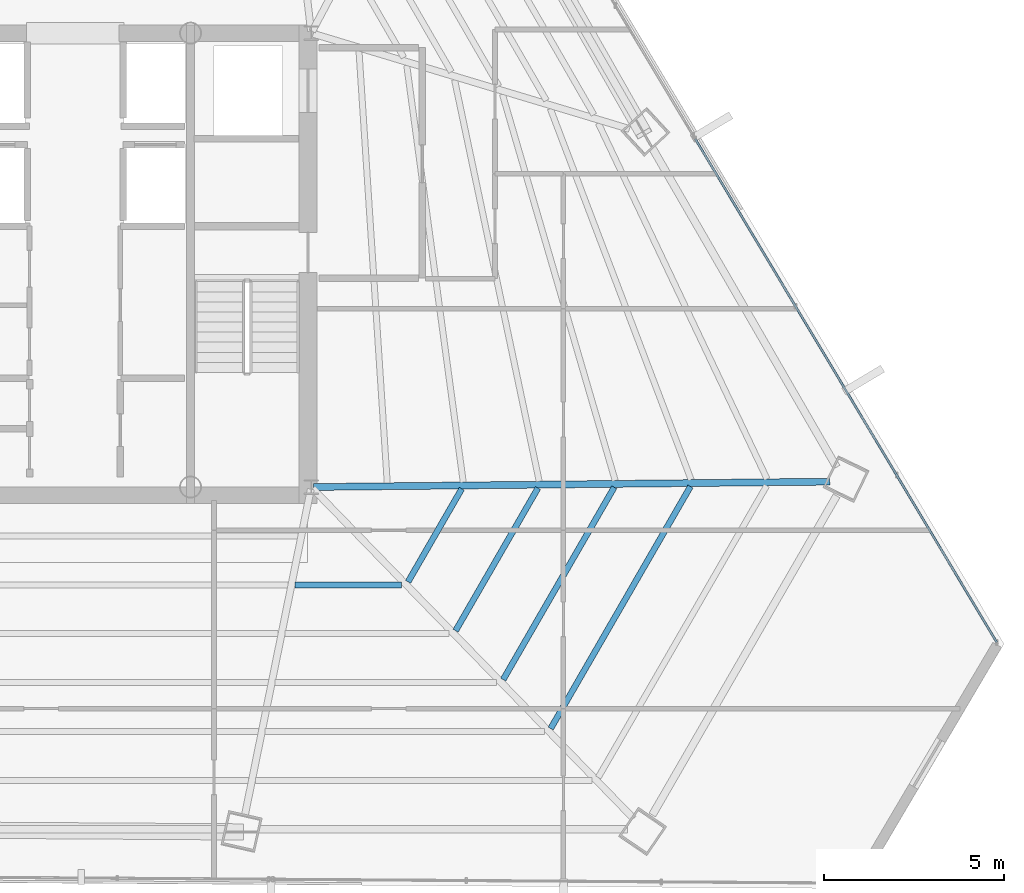
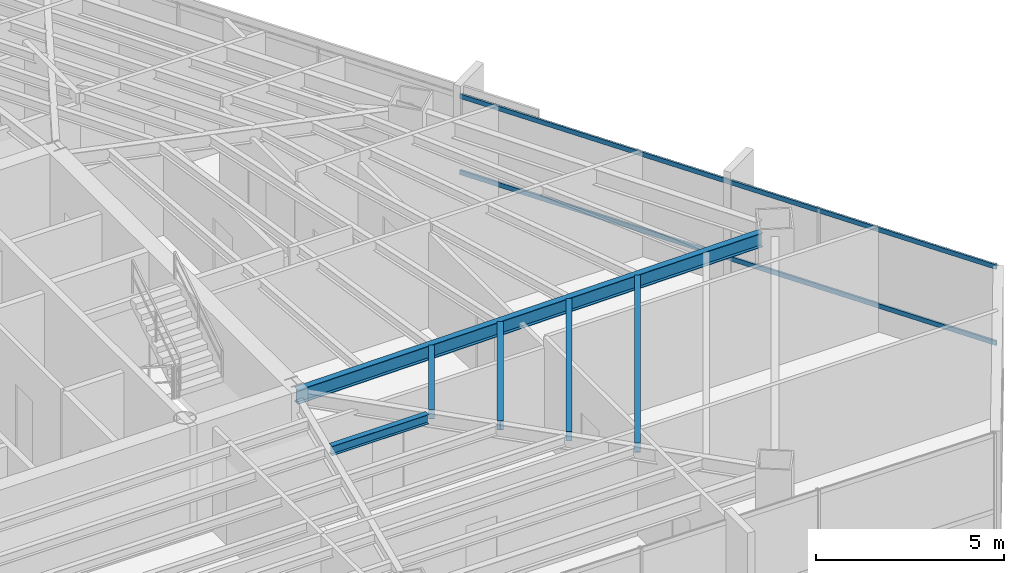
# One storey, part 20 of 41: 6 beams, 2 members, 1 element without a shape of its own.
"""IFC4 building model written with IfcOpenShell, lengths in metres."""

from ifc_helpers import new_model, si_unit, direction, frame, origin, origin_2d, place, context, subcontext, project, spatial, hollow_rectangle, i_section, extrude, source, transform, mapped, material, material_profile, profile_set, type_object, type_shapes, element, aggregate, save


model = new_model("IFC4")

# Units and contexts
model_context = context("Model", 3, precision=1e-05, world=origin(), true_north=direction((0.0, 1.0)))
body_context = subcontext(model_context, "Body", "Model", "MODEL_VIEW")
ifc_project = project(units=[si_unit("LENGTHUNIT", "METRE"), si_unit("AREAUNIT", "SQUARE_METRE"), si_unit("VOLUMEUNIT", "CUBIC_METRE"), si_unit("PLANEANGLEUNIT", "RADIAN"), si_unit("MASSUNIT", "GRAM", prefix="KILO")], contexts=[model_context])

# Site, building, storey
site_placement = place(None, origin())
site = spatial("IfcSite", under=ifc_project, at=site_placement, CompositionType="ELEMENT")
building_placement = place(site_placement, origin())
building = spatial("IfcBuilding", under=site, at=building_placement, Name="Caelisora Broadcast Tower", CompositionType="ELEMENT")
storey_placement = place(building_placement, frame((0.0, 0.0, 180.39990234375)))
storey = spatial("IfcBuildingStorey", under=building, at=storey_placement, Name="L47", CompositionType="ELEMENT", Elevation=180.39990234375)

# Beams
ifc_material_1 = material(Name="Steel Grade 350 (AS/NZS 3679.1)", Category="steel")
ifc_material_profile_1 = material_profile(ifc_material_1, i_section(OverallWidth=0.19091796875, OverallDepth=0.46044921875, WebThickness=0.010009765625, FlangeThickness=0.01611328125, at=origin_2d()), Name="Steel Grade 350 (AS/NZS 3679.1)")
ifc_profile_set_1 = profile_set([ifc_material_profile_1], Name="Steel Grade 350 (AS/NZS 3679.1)")
beam_type_1 = type_object("IfcBeamType", Name="PG06", PredefinedType="BEAM", material=ifc_profile_set_1)
shared_shape_1 = source(origin(), body_context, "Body", "SweptSolid", [
    extrude(i_section(OverallWidth=0.19091796875, OverallDepth=0.46044921875, WebThickness=0.010009765625, FlangeThickness=0.01611328125, at=origin_2d()), origin(), (0.0, 0.0, 1.0), 14.33447265625),
])
type_shapes(beam_type_1, [shared_shape_1])
beam_1_placement = place(storey_placement, frame((45.56005859375, 17.400634765625, 3.169921875), z_axis=(0.999946206402, 0.010372285257, 0.0), x_axis=(-0.010372285257, 0.999946206402, 0.0)))
element("IfcBeam", 1, at=beam_1_placement, inside=storey, type_object=beam_type_1, Name="L47 beam PG06", PredefinedType="BEAM", context=body_context, shape_type="MappedRepresentation", body=[
    mapped(shared_shape_1, transform((0.0, 0.0, 0.0), scale=1.0)),
])
ifc_material_profile_2 = material_profile(ifc_material_1, i_section(OverallWidth=0.166015625, OverallDepth=0.30712890625, WebThickness=0.006591796875, FlangeThickness=0.01171875, at=origin_2d()), Name="Steel Grade 350 (AS/NZS 3679.1)")
ifc_profile_set_2 = profile_set([ifc_material_profile_2], Name="Steel Grade 350 (AS/NZS 3679.1)")
beam_type_2 = type_object("IfcBeamType", Name="SB03", PredefinedType="JOIST", material=ifc_profile_set_2)
shared_shape_2 = source(origin(), body_context, "Body", "SweptSolid", [
    extrude(i_section(OverallWidth=0.166015625, OverallDepth=0.30712890625, WebThickness=0.006591796875, FlangeThickness=0.01171875, at=origin_2d()), origin(), (0.0, 0.0, 1.0), 2.981201171875),
])
beam_2_placement = place(storey_placement, frame((48.18798828125, 14.768798828125, 3.24658203125), z_axis=(0.4999705729, 0.866042392862, 0.0), x_axis=(-0.866042392862, 0.4999705729, 0.0)))
element("IfcBeam", 2, at=beam_2_placement, inside=storey, type_object=beam_type_2, Name="L47 beam SB03", PredefinedType="JOIST", context=body_context, shape_type="MappedRepresentation", body=[
    mapped(shared_shape_2, transform((0.0, 0.0, 0.0), scale=1.0)),
])
shared_shape_3 = source(origin(), body_context, "Body", "SweptSolid", [
    extrude(i_section(OverallWidth=0.166015625, OverallDepth=0.30712890625, WebThickness=0.006591796875, FlangeThickness=0.01171875, at=origin_2d()), origin(), (0.0, 0.0, 1.0), 4.573974609375),
])
beam_3_placement = place(storey_placement, frame((49.5078125, 13.411376953125, 3.24658203125), z_axis=(0.500019690644, 0.866014035087, 0.0), x_axis=(-0.866014035087, 0.500019690644, 0.0)))
element("IfcBeam", 3, at=beam_3_placement, inside=storey, type_object=beam_type_2, Name="L47 beam SB03", PredefinedType="JOIST", context=body_context, shape_type="MappedRepresentation", body=[
    mapped(shared_shape_3, transform((0.0, 0.0, 0.0), scale=1.0)),
])
shared_shape_4 = source(origin(), body_context, "Body", "SweptSolid", [
    extrude(i_section(OverallWidth=0.166015625, OverallDepth=0.30712890625, WebThickness=0.006591796875, FlangeThickness=0.01171875, at=origin_2d()), origin(), (0.0, 0.0, 1.0), 6.166259765625),
])
beam_4_placement = place(storey_placement, frame((50.827880859375, 12.05419921875, 3.24658203125), z_axis=(0.49998864337, 0.866031960439, 0.0), x_axis=(-0.866031960439, 0.49998864337, 0.0)))
element("IfcBeam", 4, at=beam_4_placement, inside=storey, type_object=beam_type_2, Name="L47 beam SB03", PredefinedType="JOIST", context=body_context, shape_type="MappedRepresentation", body=[
    mapped(shared_shape_4, transform((0.0, 0.0, 0.0), scale=1.0)),
])
shared_shape_5 = source(origin(), body_context, "Body", "SweptSolid", [
    extrude(i_section(OverallWidth=0.166015625, OverallDepth=0.30712890625, WebThickness=0.006591796875, FlangeThickness=0.01171875, at=origin_2d()), origin(), (0.0, 0.0, 1.0), 7.75927734375),
])
beam_5_placement = place(storey_placement, frame((52.147705078125, 10.69677734375, 3.24658203125), z_axis=(0.500000264084, 0.866025251315, 0.0), x_axis=(-0.866025251315, 0.500000264084, 0.0)))
element("IfcBeam", 5, at=beam_5_placement, inside=storey, type_object=beam_type_2, Name="L47 beam SB03", PredefinedType="JOIST", context=body_context, shape_type="MappedRepresentation", body=[
    mapped(shared_shape_5, transform((0.0, 0.0, 0.0), scale=1.0)),
])
shared_shape_6 = source(origin(), body_context, "Body", "SweptSolid", [
    extrude(i_section(OverallWidth=0.166015625, OverallDepth=0.30712890625, WebThickness=0.006591796875, FlangeThickness=0.01171875, at=origin_2d()), origin(), (0.0, 0.0, 1.0), 2.963623046875),
])
type_shapes(beam_type_2, [shared_shape_2, shared_shape_3, shared_shape_4, shared_shape_5, shared_shape_6])
beam_6_placement = place(storey_placement, frame((45.0458984375, 14.685302734375, 3.24658203125), z_axis=(1.0, 0.0, 0.0), x_axis=(0.0, 1.0, 0.0)))
element("IfcBeam", 6, at=beam_6_placement, inside=storey, type_object=beam_type_2, Name="L47 beam SB03", PredefinedType="JOIST", context=body_context, shape_type="MappedRepresentation", body=[
    mapped(shared_shape_6, transform((0.0, 0.0, 0.0), scale=1.0)),
])

# Curtain wall, members
ifc_material_2 = material(Name="Unitised Aluminium and Low-E Glass Curtain Wall", Category="glass")
curtain_wall_type = type_object("IfcCurtainWallType", Name="CW-Z3", PredefinedType="NOTDEFINED", material=ifc_material_2)
curtain_wall_placement = place(storey_placement, origin())
curtain_wall = element("IfcCurtainWall", 7, at=curtain_wall_placement, inside=storey, type_object=curtain_wall_type, Name="L47 curtain wall CW-Z3", PredefinedType="NOTDEFINED")
ifc_material_3 = material(Name="Aluminium 6063-T6 Anodised Terracotta Bronze", Category="aluminium")
ifc_material_profile_3 = material_profile(ifc_material_3, hollow_rectangle(XDim=0.06005859375, YDim=0.14990234375, WallThickness=0.00341796875, at=origin_2d()), Name="Aluminium 6063-T6 Anodised Terracotta Bronze")
ifc_profile_set_3 = profile_set([ifc_material_profile_3], Name="Aluminium 6063-T6 Anodised Terracotta Bronze")
member_type = type_object("IfcMemberType", Name="CWT-02", PredefinedType="USERDEFINED", material=ifc_profile_set_3)
shared_shape_7 = source(origin(), body_context, "Body", "SweptSolid", [
    extrude(hollow_rectangle(XDim=0.06005859375, YDim=0.14990234375, WallThickness=0.00341796875, at=origin_2d()), origin(), (0.0, 0.0, 1.0), 16.291748046875),
])
type_shapes(member_type, [shared_shape_7])
member_1_placement = place(storey_placement, frame((56.160400390625, 27.064697265625, 0.85009765625), z_axis=(0.513808019789, -0.857905192198, 0.0), x_axis=(0.857905192198, 0.513808019789, 0.0)))
member_1 = element("IfcMember", 8, at=member_1_placement, type_object=member_type, Name="L47-CW-B03 transom #1", ObjectType="TRANSOM", PredefinedType="USERDEFINED", context=body_context, shape_type="MappedRepresentation", body=[
    mapped(shared_shape_7, transform((0.0, 0.0, 0.0), scale=1.0)),
])
member_2_placement = place(storey_placement, frame((56.160400390625, 27.064697265625, 3.320068359375), z_axis=(0.513808019789, -0.857905192198, 0.0), x_axis=(0.857905192198, 0.513808019789, 0.0)))
member_2 = element("IfcMember", 9, at=member_2_placement, type_object=member_type, Name="L47-CW-B03 transom #2", ObjectType="TRANSOM", PredefinedType="USERDEFINED", context=body_context, shape_type="MappedRepresentation", body=[
    mapped(shared_shape_7, transform((0.0, 0.0, 0.0), scale=1.0)),
])
aggregate(curtain_wall, [member_1, member_2])

save(model, "model.ifc")
